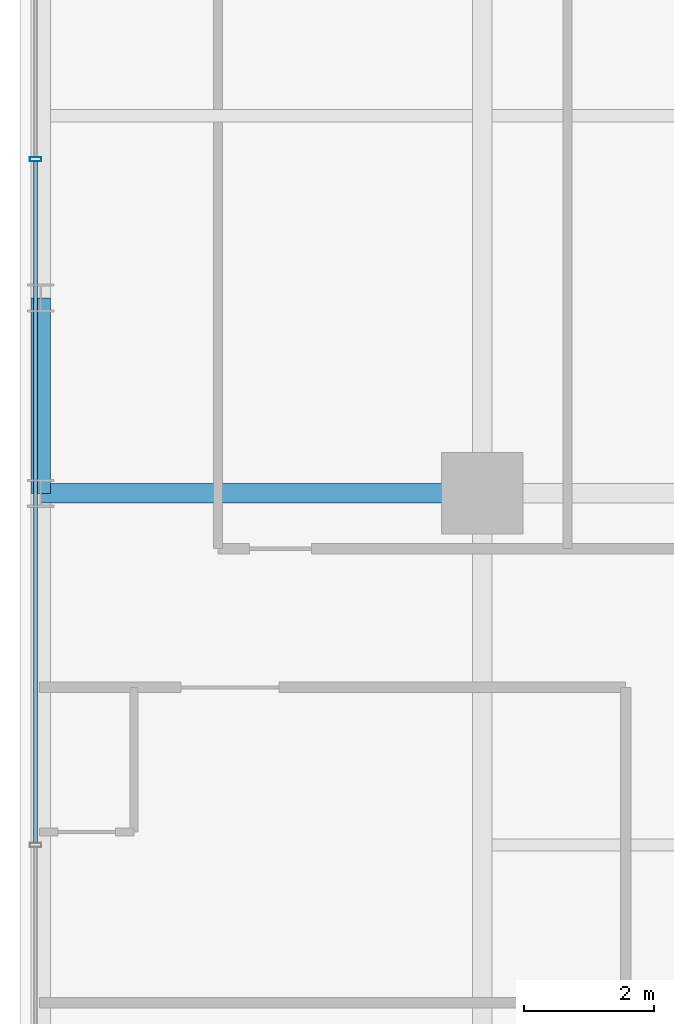
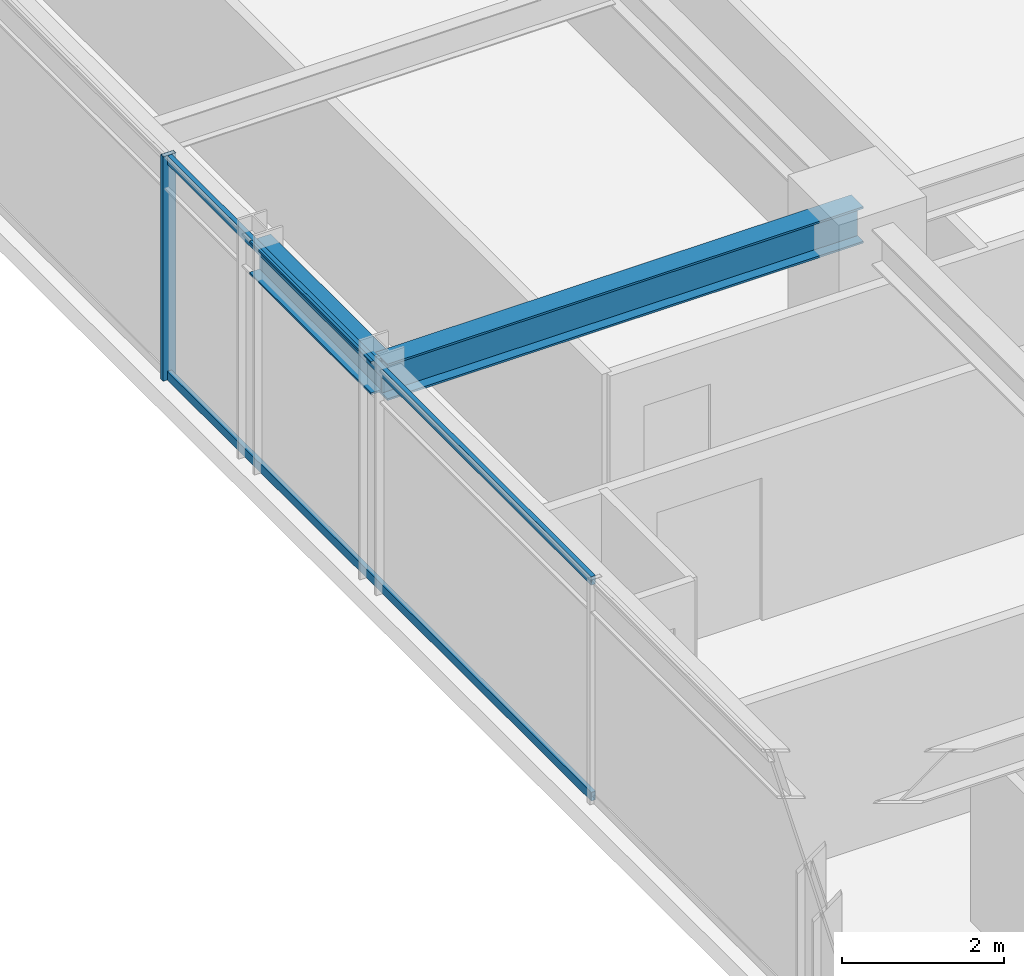
# One storey, part 17 of 33: 3 members, 2 beams, 1 element without a shape of its own.
"""IFC4 building model written with IfcOpenShell, lengths in metres."""

import ifcopenshell
import ifcopenshell.guid

model = None  # the IFC model being written
_history = None  # IfcOwnerHistory: only IFC2X3 demands one
_inside = {}  # id of a spatial element -> (the spatial element, [elements in it])
_under = {}  # id of a project, library or spatial element -> (it, [spatial elements below it])
_declared = {}  # id of a project -> (the project, [libraries it declares])
_typed = {}  # id of a type object -> (the type object, [elements of that type])
_made_of = {}  # id of a material, layer set ... -> (it, [elements and type objects made of it])


def new_model(schema):
    """Start an empty IFC model of exactly this schema.

    Asked for "IFC4X3", IfcOpenShell would pick the latest addendum, in which some entities
    have other attributes; the version numbers below select the first issue.
    IFC2X3 requires an IfcOwnerHistory on every rooted entity: one is made here for all.
    """
    global model, _history
    if schema == "IFC4X3":
        model = ifcopenshell.file(schema_version=(4, 3, 0, 0))
    else:
        model = ifcopenshell.file(schema=schema)
    _inside.clear()
    _under.clear()
    _declared.clear()
    _typed.clear()
    _made_of.clear()
    _history = None
    if model.schema == "IFC2X3":
        org = make("IfcOrganization", Name="unknown")
        user = make(
            "IfcPersonAndOrganization",
            ThePerson=make("IfcPerson", FamilyName="unknown"),
            TheOrganization=org,
        )
        app = make(
            "IfcApplication",
            ApplicationDeveloper=org,
            Version="unknown",
            ApplicationFullName="unknown",
            ApplicationIdentifier="unknown",
        )
        _history = make(
            "IfcOwnerHistory",
            OwningUser=user,
            OwningApplication=app,
            ChangeAction="ADDED",
            CreationDate=0,
        )
    return model


def make(cls, **values):
    """One entity of the class cls with the attributes given. An attribute that is None is left unset."""
    return model.create_entity(
        cls, **{name: value for name, value in values.items() if value is not None}
    )


def rooted(cls, **values):
    """An entity with a GlobalId (a new one), such as an element, a storey or a relation."""
    return make(cls, GlobalId=ifcopenshell.guid.new(), OwnerHistory=_history, **values)


def si_unit(unit_type, name, prefix=None):
    """IfcSIUnit, for example si_unit("LENGTHUNIT", "METRE", prefix="MILLI")."""
    return make("IfcSIUnit", UnitType=unit_type, Prefix=prefix, Name=name)


def assignment(units):
    """IfcUnitAssignment: the units of a project."""
    return None if units is None else make("IfcUnitAssignment", Units=units)


def point(xyz):
    """IfcCartesianPoint."""
    return None if xyz is None else make("IfcCartesianPoint", Coordinates=xyz)


def direction(xyz):
    """IfcDirection."""
    return None if xyz is None else make("IfcDirection", DirectionRatios=xyz)


def frame(location, z_axis=None, x_axis=None):
    """IfcAxis2Placement3D, a coordinate frame: its origin and axes. An axis left out is left unset."""
    return make(
        "IfcAxis2Placement3D",
        Location=point(location),
        Axis=direction(z_axis),
        RefDirection=direction(x_axis),
    )


def frame_2d(location, x_axis=None):
    """IfcAxis2Placement2D, a coordinate frame in the plane: its origin and x axis."""
    return make(
        "IfcAxis2Placement2D", Location=point(location), RefDirection=direction(x_axis)
    )


def origin():
    """The frame at (0, 0, 0) with its axes left unset."""
    return frame((0.0, 0.0, 0.0))


def origin_2d():
    """The frame at (0, 0) in the plane with its x axis left unset."""
    return frame_2d((0.0, 0.0))


def place(relative_to, where):
    """IfcLocalPlacement: puts the frame where relative to a parent placement (None: the world)."""
    return make(
        "IfcLocalPlacement", PlacementRelTo=relative_to, RelativePlacement=where
    )


def context(
    kind, dimensions, precision=None, world=None, true_north=None, identifier=None
):
    """IfcGeometricRepresentationContext, for example the 3D "Model" context."""
    return make(
        "IfcGeometricRepresentationContext",
        ContextIdentifier=identifier,
        ContextType=kind,
        CoordinateSpaceDimension=dimensions,
        Precision=precision,
        WorldCoordinateSystem=world,
        TrueNorth=true_north,
    )


def subcontext(parent, identifier, kind, view, scale=None):
    """IfcGeometricRepresentationSubContext, for example "Body" below "Model"."""
    return make(
        "IfcGeometricRepresentationSubContext",
        ContextIdentifier=identifier,
        ContextType=kind,
        ParentContext=parent,
        TargetScale=scale,
        TargetView=view,
    )


def project(units=None, contexts=None):
    """IfcProject with its units and contexts."""
    return rooted(
        "IfcProject",
        Name="project",
        RepresentationContexts=contexts,
        UnitsInContext=assignment(units),
    )


def spatial(cls, under=None, at=None, **own):
    """A site, building, storey or space (cls), placed at a placement, below another one or the project."""
    s = rooted(cls, ObjectPlacement=at, **own)
    if under is not None:
        _under.setdefault(under.id(), (under, []))[1].append(s)
    return s


def profile(cls, at=None, kind="AREA", **sizes):
    """A parametric profile (cls). Its sizes go by their IFC names, for example OverallWidth=200.0."""
    return make(cls, ProfileType=kind, Position=at, **sizes)


def hollow_rectangle(**sizes):
    """IfcRectangleHollowProfileDef."""
    return profile("IfcRectangleHollowProfileDef", **sizes)


def i_section(**sizes):
    """IfcIShapeProfileDef."""
    return profile("IfcIShapeProfileDef", **sizes)


def extrude(swept, where, along, depth):
    """IfcExtrudedAreaSolid: the profile swept, set in the frame where, extruded along a direction by depth."""
    return make(
        "IfcExtrudedAreaSolid",
        SweptArea=swept,
        Position=where,
        ExtrudedDirection=direction(along),
        Depth=depth,
    )


def shape(context_of_items, identifier, shape_type, items):
    """IfcShapeRepresentation: the items that make up one representation, for example the "Body"."""
    return make(
        "IfcShapeRepresentation",
        ContextOfItems=context_of_items,
        RepresentationIdentifier=identifier,
        RepresentationType=shape_type,
        Items=items,
    )


def source(mapping_origin, context_of_items, identifier, shape_type, items):
    """IfcRepresentationMap: a shape defined once, which mapped items show again and again."""
    return make(
        "IfcRepresentationMap",
        MappingOrigin=mapping_origin,
        MappedRepresentation=shape(context_of_items, identifier, shape_type, items),
    )


def transform(
    local_origin,
    x_axis=None,
    y_axis=None,
    z_axis=None,
    scale=None,
    scale2=None,
    scale3=None,
    uniform=True,
):
    """IfcCartesianTransformationOperator3D, or its non-uniform kind. x_axis, y_axis, z_axis: its Axis1, 2, 3."""
    if uniform:
        return make(
            "IfcCartesianTransformationOperator3D",
            Axis1=direction(x_axis),
            Axis2=direction(y_axis),
            LocalOrigin=point(local_origin),
            Scale=scale,
            Axis3=direction(z_axis),
        )
    return make(
        "IfcCartesianTransformationOperator3DnonUniform",
        Axis1=direction(x_axis),
        Axis2=direction(y_axis),
        LocalOrigin=point(local_origin),
        Scale=scale,
        Axis3=direction(z_axis),
        Scale2=scale2,
        Scale3=scale3,
    )


def mapped(mapping_source, mapping_target):
    """IfcMappedItem: shows the shape of a source again, moved by a transform."""
    return make(
        "IfcMappedItem", MappingSource=mapping_source, MappingTarget=mapping_target
    )


def material(Name=None, Category=None):
    """IfcMaterial."""
    return make("IfcMaterial", Name=Name, Category=Category)


def material_profile(
    of_material, cross_section, Name=None, Category=None, Priority=None
):
    """IfcMaterialProfile: a cross section and its material."""
    return make(
        "IfcMaterialProfile",
        Name=Name,
        Material=of_material,
        Profile=cross_section,
        Priority=Priority,
        Category=Category,
    )


def profile_set(profiles, Name=None, composite=None):
    """IfcMaterialProfileSet."""
    return make(
        "IfcMaterialProfileSet",
        Name=Name,
        MaterialProfiles=profiles,
        CompositeProfile=composite,
    )


def made_of(thing, what):
    """Note that an element or type object is made of a material, layer set ...; save() writes the relation."""
    if what is not None:
        _made_of.setdefault(what.id(), (what, []))[1].append(thing)
    return thing


def type_object(cls, material=None, **own):
    """A type object (cls), such as IfcWallType, which elements share."""
    return made_of(rooted(cls, **own), material)


def element(
    cls,
    number,
    at=None,
    inside=None,
    cuts=None,
    type_object=None,
    material=None,
    context=None,
    identifier="Body",
    shape_type=None,
    held_by="IfcProductDefinitionShape",
    body=None,
    shapes=None,
    **own,
):
    """One element of the class cls, such as IfcWall. Its Tag is "e" and its number.

    at: its placement. inside: the storey or other place that contains it. cuts: it is an
    opening in that element (IfcRelVoidsElement). A single representation is given by context,
    identifier, shape_type and body (its items); several are given by shapes. held_by: the class
    of the entity that holds the representations. save() writes the other relations.
    """
    e = rooted(cls, Tag="e%d" % number, ObjectPlacement=at, **own)
    if body is not None:
        shapes = [shape(context, identifier, shape_type, body)]
    if shapes is not None:
        e.Representation = make(held_by, Representations=shapes)
    if inside is not None:
        _inside.setdefault(inside.id(), (inside, []))[1].append(e)
    if cuts is not None:
        rooted(
            "IfcRelVoidsElement", RelatingBuildingElement=cuts, RelatedOpeningElement=e
        )
    if type_object is not None:
        _typed.setdefault(type_object.id(), (type_object, []))[1].append(e)
    return made_of(e, material)


def aggregate(whole, parts):
    """IfcRelAggregates: a whole, such as a stair, and the parts it consists of."""
    return rooted("IfcRelAggregates", RelatingObject=whole, RelatedObjects=parts)


def save(model, path):
    """Write the relations noted so far, then the file.

    IfcRelAggregates (storeys below a building ...), IfcRelContainedInSpatialStructure (elements
    in a storey), IfcRelDefinesByType, IfcRelAssociatesMaterial and IfcRelDeclares: one each for
    every whole, place, type object, material and project.
    """
    for whole, parts in _under.values():
        aggregate(whole, parts)
    for where, things in _inside.values():
        rooted(
            "IfcRelContainedInSpatialStructure",
            RelatedElements=things,
            RelatingStructure=where,
        )
    for kind, things in _typed.values():
        rooted("IfcRelDefinesByType", RelatedObjects=things, RelatingType=kind)
    for what, things in _made_of.values():
        rooted("IfcRelAssociatesMaterial", RelatedObjects=things, RelatingMaterial=what)
    for by, libraries in _declared.values():
        rooted("IfcRelDeclares", RelatingContext=by, RelatedDefinitions=libraries)
    model.write(path)


model = new_model("IFC4")

# Units and contexts
model_context = context("Model", 3, precision=1e-05, world=origin(), true_north=direction((0.0, 1.0)))
body_context = subcontext(model_context, "Body", "Model", "MODEL_VIEW")
ifc_project = project(units=[si_unit("LENGTHUNIT", "METRE"), si_unit("AREAUNIT", "SQUARE_METRE"), si_unit("VOLUMEUNIT", "CUBIC_METRE"), si_unit("PLANEANGLEUNIT", "RADIAN"), si_unit("MASSUNIT", "GRAM", prefix="KILO")], contexts=[model_context])

# Site, building, storey
site_placement = place(None, origin())
site = spatial("IfcSite", under=ifc_project, at=site_placement, CompositionType="ELEMENT")
building_placement = place(site_placement, origin())
building = spatial("IfcBuilding", under=site, at=building_placement, Name="Nahalor Promenade Grand Hotel", CompositionType="ELEMENT")
storey_placement = place(building_placement, frame((0.0, 0.0, 132.10009765625)))
storey = spatial("IfcBuildingStorey", under=building, at=storey_placement, Name="L33", CompositionType="ELEMENT", Elevation=132.10009765625)

# Beams
ifc_material_1 = material(Name="Steel S355JR", Category="steel")
ifc_material_profile_1 = material_profile(ifc_material_1, i_section(OverallWidth=0.3, OverallDepth=0.5, WebThickness=0.0145, FlangeThickness=0.028, at=origin_2d()), Name="HEB 500")
ifc_profile_set_1 = profile_set([ifc_material_profile_1], Name="Steel S355JR")
beam_type_1 = type_object("IfcBeamType", Name="Beam-Spandrel-HEB500", PredefinedType="SPANDREL", material=ifc_profile_set_1)
shared_shape_1 = source(origin(), body_context, "Body", "SweptSolid", [
    extrude(i_section(OverallWidth=0.3, OverallDepth=0.5, WebThickness=0.0145, FlangeThickness=0.028, at=origin_2d()), origin(), (0.0, 0.0, 1.0), 3.0),
])
beam_1_placement = place(storey_placement, frame((-23.780029296875, 5.39990234375, 3.1298828125), z_axis=(0.0, 1.0, 0.0), x_axis=(-1.0, 0.0, 0.0)))
element("IfcBeam", 1, at=beam_1_placement, inside=storey, type_object=beam_type_1, Name="BM-L33-SP-W-3", PredefinedType="SPANDREL", context=body_context, shape_type="MappedRepresentation", body=[
    mapped(shared_shape_1, transform((0.0, 0.0, 0.0), scale=1.0)),
])
ifc_material_profile_2 = material_profile(ifc_material_1, i_section(OverallWidth=0.3, OverallDepth=0.55, WebThickness=0.015, FlangeThickness=0.029, at=origin_2d()), Name="HEB 550")
ifc_profile_set_2 = profile_set([ifc_material_profile_2], Name="Steel S355JR")
beam_type_2 = type_object("IfcBeamType", Name="Beam-Girder-HEB550", PredefinedType="BEAM", material=ifc_profile_set_2)
shared_shape_2 = source(origin(), body_context, "Body", "SweptSolid", [
    extrude(i_section(OverallWidth=0.3, OverallDepth=0.55, WebThickness=0.015, FlangeThickness=0.029, at=origin_2d()), origin(), (0.0, 0.0, 1.0), 6.780029296875),
])
beam_2_placement = place(storey_placement, frame((-23.780029296875, 5.39990234375, 3.10498046875), z_axis=(1.0, 0.0, 0.0), x_axis=(0.0, 1.0, 0.0)))
element("IfcBeam", 2, at=beam_2_placement, inside=storey, type_object=beam_type_2, Name="BM-L33-GX-2-0", PredefinedType="BEAM", context=body_context, shape_type="MappedRepresentation", body=[
    mapped(shared_shape_2, transform((0.0, 0.0, 0.0), scale=1.0)),
])

# Curtain wall, members
ifc_material_2 = material(Name="Anodised Bronze Aluminium EN AW-6063 T6", Category="aluminium")
curtain_wall_type = type_object("IfcCurtainWallType", Name="CW2 Typical Hotel Flush Bronze Unitised Curtain Wall", PredefinedType="USERDEFINED", material=ifc_material_2)
curtain_wall_placement = place(storey_placement, origin())
curtain_wall = element("IfcCurtainWall", 3, at=curtain_wall_placement, inside=storey, type_object=curtain_wall_type, Name="L33 Curtain Wall CW-L33-W-1", ObjectType="UNITISED_CURTAIN_WALL", PredefinedType="USERDEFINED")
ifc_material_profile_3 = material_profile(ifc_material_2, hollow_rectangle(XDim=0.065, YDim=0.18, WallThickness=0.004, at=origin_2d()), Name="CWM 65x180x4")
ifc_profile_set_3 = profile_set([ifc_material_profile_3], Name="Anodised Bronze Aluminium EN AW-6063 T6")
member_type_1 = type_object("IfcMemberType", Name="CWM2 Typical Bronze Mullion 65x180", PredefinedType="MULLION", material=ifc_profile_set_3)
shared_shape_3 = source(origin(), body_context, "Body", "SweptSolid", [
    extrude(hollow_rectangle(XDim=0.065, YDim=0.18, WallThickness=0.004, at=origin_2d()), origin(), (0.0, 0.0, 1.0), 3.3798828125),
])
member_1_placement = place(storey_placement, frame((-23.860107421875, 10.530029296875, 0.0), z_axis=(0.0, 0.0, 1.0), x_axis=(0.0, 1.0, 0.0)))
member_1 = element("IfcMember", 4, at=member_1_placement, type_object=member_type_1, Name="CW-L33-W-1 Mullion 3", PredefinedType="MULLION", context=body_context, shape_type="MappedRepresentation", body=[
    mapped(shared_shape_3, transform((0.0, 0.0, 0.0), scale=1.0)),
])
ifc_material_profile_4 = material_profile(ifc_material_2, hollow_rectangle(XDim=0.065, YDim=0.13, WallThickness=0.004, at=origin_2d()), Name="CWT 65x130x4")
ifc_profile_set_4 = profile_set([ifc_material_profile_4], Name="Anodised Bronze Aluminium EN AW-6063 T6")
member_type_2 = type_object("IfcMemberType", Name="CWT2 Typical Bronze Transom 65x130", PredefinedType="USERDEFINED", material=ifc_profile_set_4)
shared_shape_4 = source(origin(), body_context, "Body", "SweptSolid", [
    extrude(hollow_rectangle(XDim=0.065, YDim=0.13, WallThickness=0.004, at=origin_2d()), origin(), (0.0, 0.0, 1.0), 10.465087890625),
])
member_2_placement = place(storey_placement, frame((-23.860107421875, 0.032470703125, 0.06494140625), z_axis=(0.0, 1.0, 0.0), x_axis=(-1.0, 0.0, 0.0)))
member_2 = element("IfcMember", 5, at=member_2_placement, type_object=member_type_2, Name="CW-L33-W-1 Transom 2-0", ObjectType="TRANSOM", PredefinedType="USERDEFINED", context=body_context, shape_type="MappedRepresentation", body=[
    mapped(shared_shape_4, transform((0.0, 0.0, 0.0), scale=1.0)),
])
member_3_placement = place(storey_placement, frame((-23.860107421875, 0.032470703125, 3.31494140625), z_axis=(0.0, 1.0, 0.0), x_axis=(-1.0, 0.0, 0.0)))
member_3 = element("IfcMember", 6, at=member_3_placement, type_object=member_type_2, Name="CW-L33-W-1 Transom 2-1", ObjectType="TRANSOM", PredefinedType="USERDEFINED", context=body_context, shape_type="MappedRepresentation", body=[
    mapped(shared_shape_4, transform((0.0, 0.0, 0.0), scale=1.0)),
])
aggregate(curtain_wall, [member_1, member_2, member_3])

save(model, "model.ifc")
